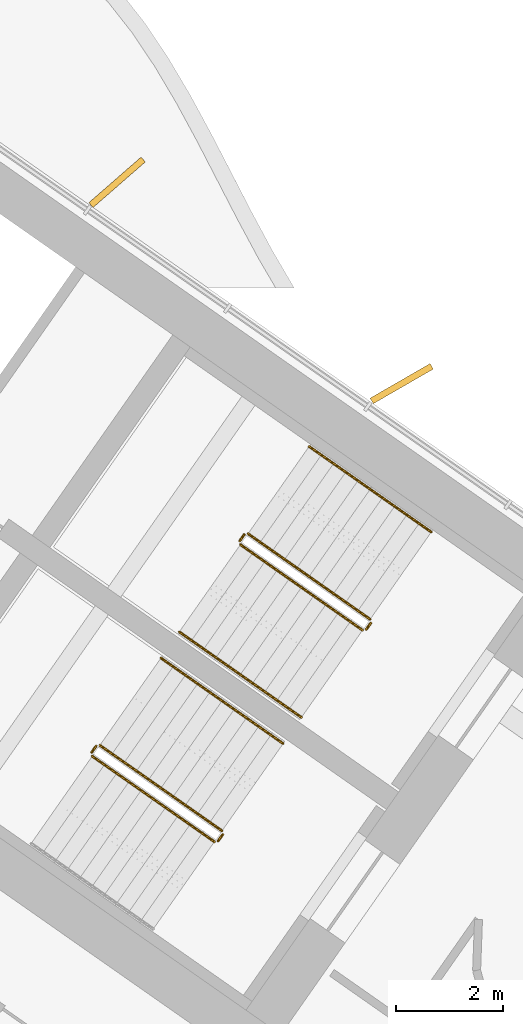
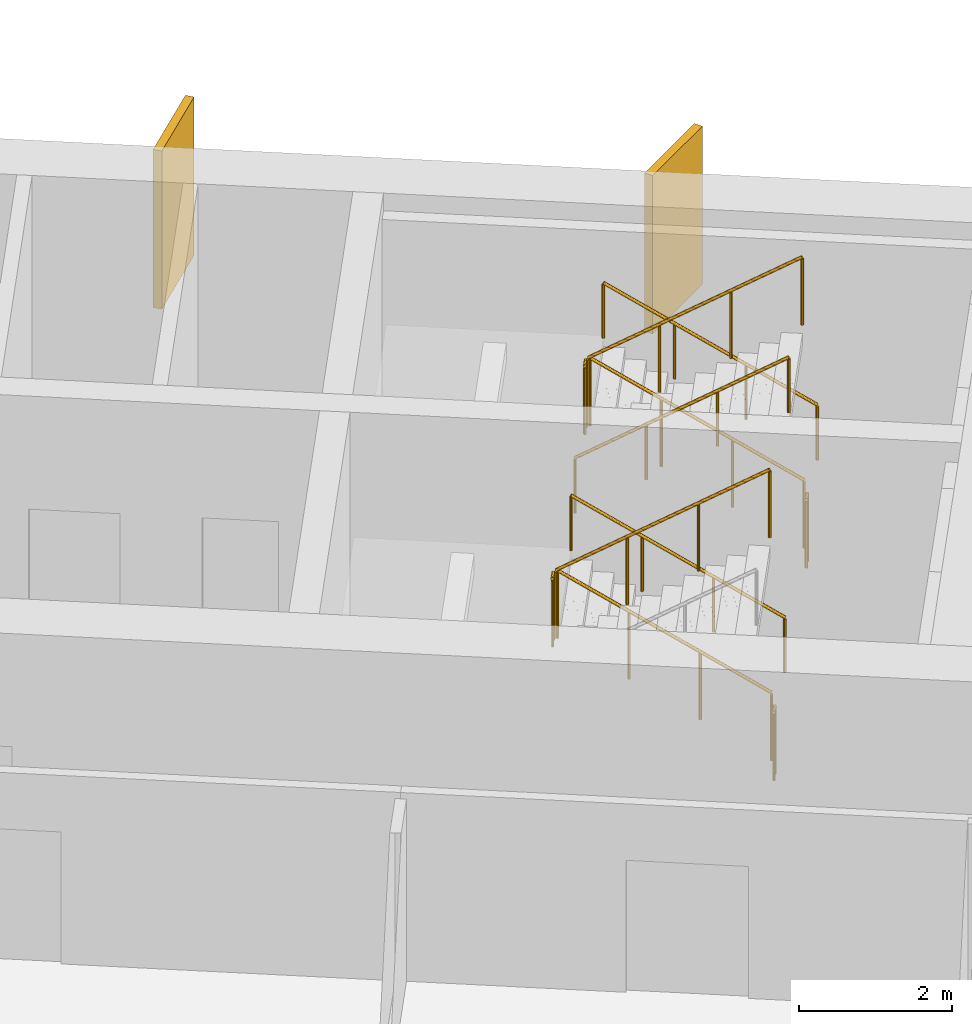
# One storey, part 20 of 21: 11 railings, 2 shading devices.
"""IFC4 building model written with IfcOpenShell, lengths in metres."""

from ifc_helpers import new_model, si_unit, direction, frame, origin, origin_2d, place, context, subcontext, project, spatial, rectangle, circle, extrude, material, layer, layer_set, type_object, element, save


model = new_model("IFC4")

# Units and contexts
model_context = context("Model", 3, precision=1e-05, world=origin(), true_north=direction((0.0, 1.0)))
body_context = subcontext(model_context, "Body", "Model", "MODEL_VIEW")
ifc_project = project(units=[si_unit("LENGTHUNIT", "METRE"), si_unit("AREAUNIT", "SQUARE_METRE"), si_unit("VOLUMEUNIT", "CUBIC_METRE"), si_unit("PLANEANGLEUNIT", "RADIAN"), si_unit("MASSUNIT", "GRAM", prefix="KILO")], contexts=[model_context])

# Site, building, storey
site_placement = place(None, origin())
site = spatial("IfcSite", under=ifc_project, at=site_placement, CompositionType="ELEMENT")
building_placement = place(site_placement, origin())
building = spatial("IfcBuilding", under=site, at=building_placement, Name="Tel Ilan Convention Tower", CompositionType="ELEMENT")
storey_placement = place(building_placement, frame((0.0, 0.0, 210.0)))
storey = spatial("IfcBuildingStorey", under=building, at=storey_placement, Name="L49", CompositionType="ELEMENT", Elevation=210.0)

# Shading devices
ifc_material_1 = material(Name="Aluminium, bronze anodised", Category="aluminium")
ifc_layer = layer(ifc_material_1, 0.1201171875)
ifc_layer_set = layer_set([ifc_layer], Name="FIN BRONZE 1300x120")
shading_device_type = type_object("IfcShadingDeviceType", Name="FIN BRONZE 1300x120", PredefinedType="USERDEFINED", material=ifc_layer_set)
for number, where, z_axis, x_axis, name in (
    (1, (24.270751953125, -3.427001953125, 1.10009765625), (0.0, 0.0, 1.0), (0.866025403784, 0.5, 0.0), "FIN"),
    (2, (18.926025390625, 0.353271484375, 1.10009765625), (0.0, 0.0, 1.0), (0.753435896329, 0.657521368568, 0.0), "FIN"),
):
    element("IfcShadingDevice", number, at=place(storey_placement, frame(where, z_axis=z_axis, x_axis=x_axis)), inside=storey, type_object=shading_device_type, Name=name, ObjectType="FIN", PredefinedType="USERDEFINED", context=body_context, shape_type="SweptSolid", body=[
        extrude(rectangle(XDim=1.300048828125, YDim=0.1201171875, at=origin_2d()), origin(), (0.0, 0.0, 1.0), 2.52001953125),
    ])

# Railings
ifc_material_2 = material(Name="Stainless Steel Grade 316", Category="steel")
railing_type_1 = type_object("IfcRailingType", Name="Stainless Steel Stair Guard 1100 mm", PredefinedType="GUARDRAIL", material=ifc_material_2)
railing_1_placement = place(storey_placement, frame((23.6787109375, -7.8515625, 0.17724609375)))
element("IfcRailing", 3, at=railing_1_placement, inside=storey, type_object=railing_type_1, Name="L49 S3 stair guard 1", PredefinedType="GUARDRAIL", context=body_context, shape_type="SweptSolid", body=[
    extrude(circle(Radius=0.02392578125, at=origin_2d()), frame((0.0, 0.0, 1.076171875), z_axis=(-0.692084706163, 0.484621375041, 0.534940073605), x_axis=(-0.573591086599, -0.819141785879, 0.0)), (0.0, 0.0, 1.0), 3.313720703125),
    extrude(circle(Radius=0.02099609375, at=origin_2d()), origin(), (0.0, 0.0, 1.0), 1.052001953125),
    extrude(circle(Radius=0.02099609375, at=origin_2d()), frame((-0.764404296875, 0.535400390625, 0.5908203125)), (0.0, 0.0, 1.0), 1.052001953125),
    extrude(circle(Radius=0.02099609375, at=origin_2d()), frame((-1.529052734375, 1.070556640625, 1.181884765625)), (0.0, 0.0, 1.0), 1.052001953125),
    extrude(circle(Radius=0.02099609375, at=origin_2d()), frame((-2.29345703125, 1.60595703125, 1.772705078125)), (0.0, 0.0, 1.0), 1.052001953125),
])
railing_2_placement = place(storey_placement, frame((21.3154296875, -6.2578125, 1.949951171875)))
element("IfcRailing", 4, at=railing_2_placement, inside=storey, type_object=railing_type_1, Name="L49 S3 stair guard 2", PredefinedType="GUARDRAIL", context=body_context, shape_type="SweptSolid", body=[
    extrude(circle(Radius=0.02392578125, at=origin_2d()), frame((0.0, 0.0, 1.076171875), z_axis=(-0.573353020881, -0.819308436089, 0.0), x_axis=(0.819308436089, -0.573353020881, 0.0)), (0.0, 0.0, 1.0), 0.14990234375),
    extrude(circle(Radius=0.02099609375, at=origin_2d()), origin(), (0.0, 0.0, 1.0), 1.052001953125),
    extrude(circle(Radius=0.02099609375, at=origin_2d()), frame((-0.0859375, -0.122802734375, 0.0)), (0.0, 0.0, 1.0), 1.052001953125),
])
railing_3_placement = place(storey_placement, frame((21.24169921875, -6.4501953125, 2.127197265625)))
element("IfcRailing", 5, at=railing_3_placement, inside=storey, type_object=railing_type_1, Name="L49 S3 stair guard 3", PredefinedType="GUARDRAIL", context=body_context, shape_type="SweptSolid", body=[
    extrude(circle(Radius=0.02392578125, at=origin_2d()), frame((0.0, 0.0, 1.076171875), z_axis=(0.692098378994, -0.484653031975, 0.534893701956), x_axis=(0.573608623498, 0.819129505664, 0.0)), (0.0, 0.0, 1.0), 3.314208984375),
    extrude(circle(Radius=0.02099609375, at=origin_2d()), origin(), (0.0, 0.0, 1.0), 1.052001953125),
    extrude(circle(Radius=0.02099609375, at=origin_2d()), frame((0.7646484375, -0.535400390625, 0.5908203125)), (0.0, 0.0, 1.0), 1.052001953125),
    extrude(circle(Radius=0.02099609375, at=origin_2d()), frame((1.529052734375, -1.07080078125, 1.181884765625)), (0.0, 0.0, 1.0), 1.052001953125),
    extrude(circle(Radius=0.02099609375, at=origin_2d()), frame((2.293701171875, -1.606201171875, 1.772705078125)), (0.0, 0.0, 1.0), 1.052001953125),
])
railing_4_placement = place(storey_placement, frame((23.691162109375, -7.921142578125, 0.0)))
element("IfcRailing", 6, at=railing_4_placement, inside=storey, type_object=railing_type_1, Name="L49 S3 stair guard 4", PredefinedType="GUARDRAIL", context=body_context, shape_type="SweptSolid", body=[
    extrude(circle(Radius=0.02392578125, at=origin_2d()), frame((0.0, 0.0, 1.076171875), z_axis=(-0.574444878118, -0.818543268254, 0.0), x_axis=(0.818543268254, -0.574444878118, 0.0)), (0.0, 0.0, 1.0), 0.150146484375),
    extrude(circle(Radius=0.02099609375, at=origin_2d()), origin(), (0.0, 0.0, 1.0), 1.052001953125),
    extrude(circle(Radius=0.02099609375, at=origin_2d()), frame((-0.086181640625, -0.122802734375, 0.0)), (0.0, 0.0, 1.0), 1.052001953125),
])
railing_5_placement = place(storey_placement, frame((20.89697265625, -11.824462890625, 0.17724609375)))
element("IfcRailing", 7, at=railing_5_placement, inside=storey, type_object=railing_type_1, Name="L49 S4 stair guard 1", PredefinedType="GUARDRAIL", context=body_context, shape_type="SweptSolid", body=[
    extrude(circle(Radius=0.02392578125, at=origin_2d()), frame((0.0, 0.0, 1.076171875), z_axis=(-0.692123088272, 0.484596665743, 0.534912798717), x_axis=(-0.573550118428, -0.819170471667, 0.0)), (0.0, 0.0, 1.0), 3.31396484375),
    extrude(circle(Radius=0.02099609375, at=origin_2d()), origin(), (0.0, 0.0, 1.0), 1.052001953125),
    extrude(circle(Radius=0.02099609375, at=origin_2d()), frame((-0.7646484375, 0.535400390625, 0.5908203125)), (0.0, 0.0, 1.0), 1.052001953125),
    extrude(circle(Radius=0.02099609375, at=origin_2d()), frame((-1.529052734375, 1.070556640625, 1.181884765625)), (0.0, 0.0, 1.0), 1.052001953125),
    extrude(circle(Radius=0.02099609375, at=origin_2d()), frame((-2.293701171875, 1.60595703125, 1.772705078125)), (0.0, 0.0, 1.0), 1.052001953125),
])
railing_6_placement = place(storey_placement, frame((18.53369140625, -10.230712890625, 1.949951171875)))
element("IfcRailing", 8, at=railing_6_placement, inside=storey, type_object=railing_type_1, Name="L49 S4 stair guard 2", PredefinedType="GUARDRAIL", context=body_context, shape_type="SweptSolid", body=[
    extrude(circle(Radius=0.02392578125, at=origin_2d()), frame((0.0, 0.0, 1.076171875), z_axis=(-0.573353020881, -0.819308436089, 0.0), x_axis=(0.819308436089, -0.573353020881, 0.0)), (0.0, 0.0, 1.0), 0.14990234375),
    extrude(circle(Radius=0.02099609375, at=origin_2d()), origin(), (0.0, 0.0, 1.0), 1.052001953125),
    extrude(circle(Radius=0.02099609375, at=origin_2d()), frame((-0.0859375, -0.122802734375, 0.0)), (0.0, 0.0, 1.0), 1.052001953125),
])
railing_7_placement = place(storey_placement, frame((18.4599609375, -10.423095703125, 2.127197265625)))
element("IfcRailing", 9, at=railing_7_placement, inside=storey, type_object=railing_type_1, Name="L49 S4 stair guard 3", PredefinedType="GUARDRAIL", context=body_context, shape_type="SweptSolid", body=[
    extrude(circle(Radius=0.02392578125, at=origin_2d()), frame((0.0, 0.0, 1.076171875), z_axis=(0.692098378994, -0.484653031975, 0.534893701956), x_axis=(0.573608623498, 0.819129505664, 0.0)), (0.0, 0.0, 1.0), 3.314208984375),
    extrude(circle(Radius=0.02099609375, at=origin_2d()), origin(), (0.0, 0.0, 1.0), 1.052001953125),
    extrude(circle(Radius=0.02099609375, at=origin_2d()), frame((0.7646484375, -0.535400390625, 0.5908203125)), (0.0, 0.0, 1.0), 1.052001953125),
    extrude(circle(Radius=0.02099609375, at=origin_2d()), frame((1.529052734375, -1.07080078125, 1.181884765625)), (0.0, 0.0, 1.0), 1.052001953125),
    extrude(circle(Radius=0.02099609375, at=origin_2d()), frame((2.293701171875, -1.606201171875, 1.772705078125)), (0.0, 0.0, 1.0), 1.052001953125),
])
railing_8_placement = place(storey_placement, frame((20.9091796875, -11.89404296875, 0.0)))
element("IfcRailing", 10, at=railing_8_placement, inside=storey, type_object=railing_type_1, Name="L49 S4 stair guard 4", PredefinedType="GUARDRAIL", context=body_context, shape_type="SweptSolid", body=[
    extrude(circle(Radius=0.02392578125, at=origin_2d()), frame((0.0, 0.0, 1.076171875), z_axis=(-0.573353020881, -0.819308436089, 0.0), x_axis=(0.819308436089, -0.573353020881, 0.0)), (0.0, 0.0, 1.0), 0.14990234375),
    extrude(circle(Radius=0.02099609375, at=origin_2d()), origin(), (0.0, 0.0, 1.0), 1.052001953125),
    extrude(circle(Radius=0.02099609375, at=origin_2d()), frame((-0.0859375, -0.122802734375, 0.0)), (0.0, 0.0, 1.0), 1.052001953125),
])
ifc_material_3 = material(Name="Stainless Steel Grade 316", Category="steel")
railing_type_2 = type_object("IfcRailingType", Name="Stainless Steel Stair Handrail 900 mm", PredefinedType="HANDRAIL", material=ifc_material_3)
railing_9_placement = place(storey_placement, frame((24.825927734375, -6.213134765625, 0.17724609375)))
element("IfcRailing", 11, at=railing_9_placement, inside=storey, type_object=railing_type_2, Name="L49 S3 stair handrail 1", PredefinedType="HANDRAIL", context=body_context, shape_type="SweptSolid", body=[
    extrude(circle(Radius=0.02392578125, at=origin_2d()), frame((0.0, 0.0, 0.8759765625), z_axis=(-0.692123088272, 0.484596665743, 0.534912798717), x_axis=(-0.573550118428, -0.819170471667, 0.0)), (0.0, 0.0, 1.0), 3.31396484375),
    extrude(circle(Radius=0.02099609375, at=origin_2d()), origin(), (0.0, 0.0, 1.0), 0.851806640625),
    extrude(circle(Radius=0.02099609375, at=origin_2d()), frame((-0.7646484375, 0.535400390625, 0.5908203125)), (0.0, 0.0, 1.0), 0.851806640625),
    extrude(circle(Radius=0.02099609375, at=origin_2d()), frame((-1.529052734375, 1.070556640625, 1.181884765625)), (0.0, 0.0, 1.0), 0.851806640625),
    extrude(circle(Radius=0.02099609375, at=origin_2d()), frame((-2.293701171875, 1.60595703125, 1.772705078125)), (0.0, 0.0, 1.0), 0.851806640625),
])
railing_10_placement = place(storey_placement, frame((20.0947265625, -8.088623046875, 2.127197265625)))
element("IfcRailing", 12, at=railing_10_placement, inside=storey, type_object=railing_type_2, Name="L49 S3 stair handrail 2", PredefinedType="HANDRAIL", context=body_context, shape_type="SweptSolid", body=[
    extrude(circle(Radius=0.02392578125, at=origin_2d()), frame((0.0, 0.0, 0.8759765625), z_axis=(0.692084706163, -0.484621375041, 0.534940073605), x_axis=(0.573591086599, 0.819141785879, 0.0)), (0.0, 0.0, 1.0), 3.313720703125),
    extrude(circle(Radius=0.02099609375, at=origin_2d()), origin(), (0.0, 0.0, 1.0), 0.851806640625),
    extrude(circle(Radius=0.02099609375, at=origin_2d()), frame((0.764404296875, -0.535400390625, 0.5908203125)), (0.0, 0.0, 1.0), 0.851806640625),
    extrude(circle(Radius=0.02099609375, at=origin_2d()), frame((1.529052734375, -1.070556640625, 1.181884765625)), (0.0, 0.0, 1.0), 0.851806640625),
    extrude(circle(Radius=0.02099609375, at=origin_2d()), frame((2.29345703125, -1.60595703125, 1.772705078125)), (0.0, 0.0, 1.0), 0.851806640625),
])
railing_11_placement = place(storey_placement, frame((22.044189453125, -10.18603515625, 0.17724609375)))
element("IfcRailing", 13, at=railing_11_placement, inside=storey, type_object=railing_type_2, Name="L49 S4 stair handrail 1", PredefinedType="HANDRAIL", context=body_context, shape_type="SweptSolid", body=[
    extrude(circle(Radius=0.02392578125, at=origin_2d()), frame((0.0, 0.0, 0.8759765625), z_axis=(-0.692123088272, 0.484596665743, 0.534912798717), x_axis=(-0.573550118428, -0.819170471667, 0.0)), (0.0, 0.0, 1.0), 3.31396484375),
    extrude(circle(Radius=0.02099609375, at=origin_2d()), origin(), (0.0, 0.0, 1.0), 0.851806640625),
    extrude(circle(Radius=0.02099609375, at=origin_2d()), frame((-0.7646484375, 0.535400390625, 0.5908203125)), (0.0, 0.0, 1.0), 0.851806640625),
    extrude(circle(Radius=0.02099609375, at=origin_2d()), frame((-1.529052734375, 1.070556640625, 1.181884765625)), (0.0, 0.0, 1.0), 0.851806640625),
    extrude(circle(Radius=0.02099609375, at=origin_2d()), frame((-2.293701171875, 1.60595703125, 1.772705078125)), (0.0, 0.0, 1.0), 0.851806640625),
])

save(model, "model.ifc")
